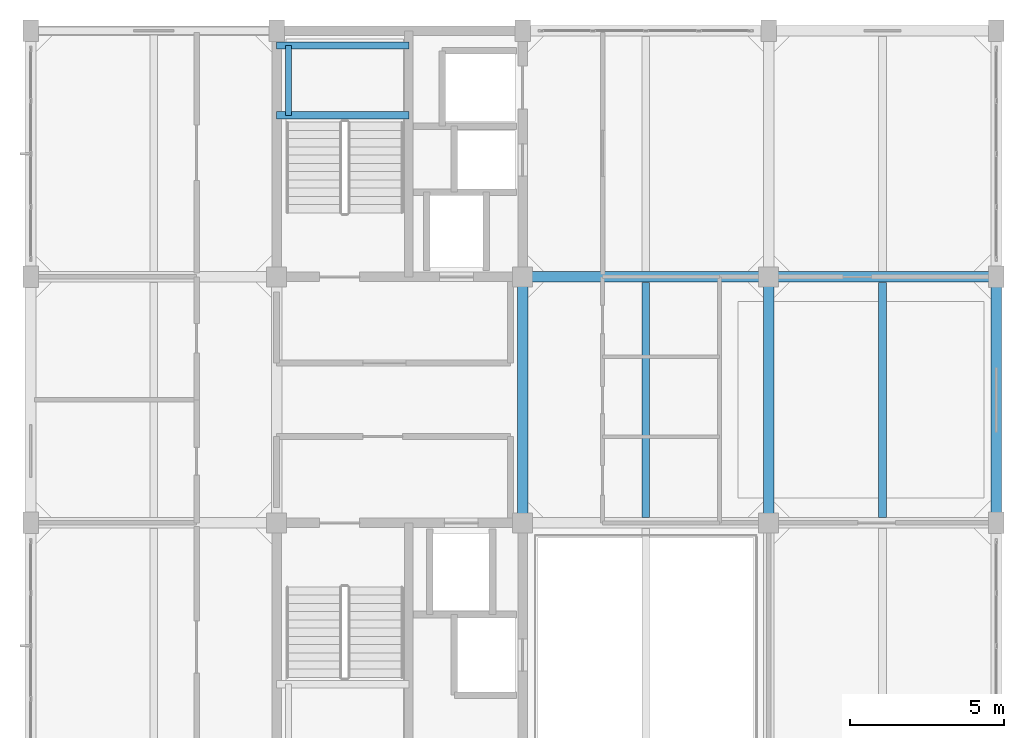
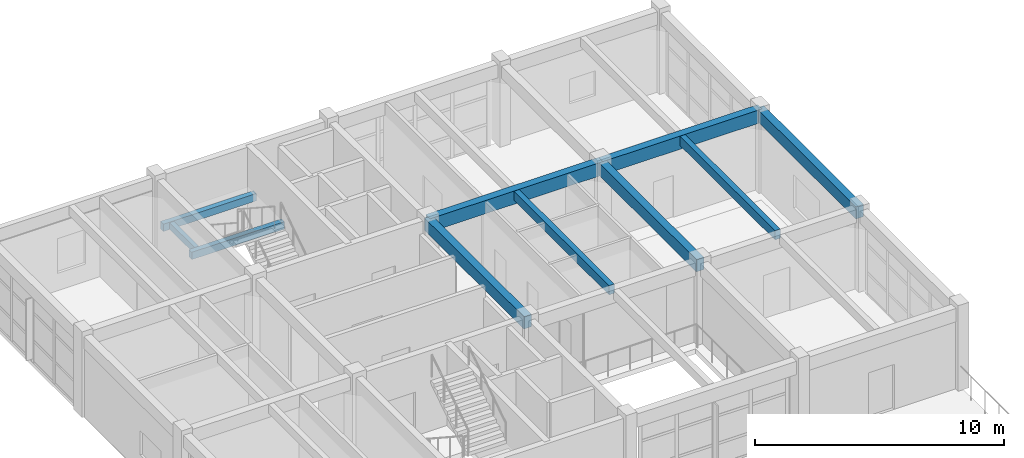
# One storey, part 11 of 20: 10 beams.
"""IFC4 building model written with IfcOpenShell, lengths in metres."""

import ifcopenshell
import ifcopenshell.guid

model = None  # the IFC model being written
_history = None  # IfcOwnerHistory: only IFC2X3 demands one
_inside = {}  # id of a spatial element -> (the spatial element, [elements in it])
_under = {}  # id of a project, library or spatial element -> (it, [spatial elements below it])
_declared = {}  # id of a project -> (the project, [libraries it declares])
_typed = {}  # id of a type object -> (the type object, [elements of that type])
_made_of = {}  # id of a material, layer set ... -> (it, [elements and type objects made of it])


def new_model(schema):
    """Start an empty IFC model of exactly this schema.

    Asked for "IFC4X3", IfcOpenShell would pick the latest addendum, in which some entities
    have other attributes; the version numbers below select the first issue.
    IFC2X3 requires an IfcOwnerHistory on every rooted entity: one is made here for all.
    """
    global model, _history
    if schema == "IFC4X3":
        model = ifcopenshell.file(schema_version=(4, 3, 0, 0))
    else:
        model = ifcopenshell.file(schema=schema)
    _inside.clear()
    _under.clear()
    _declared.clear()
    _typed.clear()
    _made_of.clear()
    _history = None
    if model.schema == "IFC2X3":
        org = make("IfcOrganization", Name="unknown")
        user = make(
            "IfcPersonAndOrganization",
            ThePerson=make("IfcPerson", FamilyName="unknown"),
            TheOrganization=org,
        )
        app = make(
            "IfcApplication",
            ApplicationDeveloper=org,
            Version="unknown",
            ApplicationFullName="unknown",
            ApplicationIdentifier="unknown",
        )
        _history = make(
            "IfcOwnerHistory",
            OwningUser=user,
            OwningApplication=app,
            ChangeAction="ADDED",
            CreationDate=0,
        )
    return model


def make(cls, **values):
    """One entity of the class cls with the attributes given. An attribute that is None is left unset."""
    return model.create_entity(
        cls, **{name: value for name, value in values.items() if value is not None}
    )


def rooted(cls, **values):
    """An entity with a GlobalId (a new one), such as an element, a storey or a relation."""
    return make(cls, GlobalId=ifcopenshell.guid.new(), OwnerHistory=_history, **values)


def si_unit(unit_type, name, prefix=None):
    """IfcSIUnit, for example si_unit("LENGTHUNIT", "METRE", prefix="MILLI")."""
    return make("IfcSIUnit", UnitType=unit_type, Prefix=prefix, Name=name)


def assignment(units):
    """IfcUnitAssignment: the units of a project."""
    return None if units is None else make("IfcUnitAssignment", Units=units)


def point(xyz):
    """IfcCartesianPoint."""
    return None if xyz is None else make("IfcCartesianPoint", Coordinates=xyz)


def direction(xyz):
    """IfcDirection."""
    return None if xyz is None else make("IfcDirection", DirectionRatios=xyz)


def frame(location, z_axis=None, x_axis=None):
    """IfcAxis2Placement3D, a coordinate frame: its origin and axes. An axis left out is left unset."""
    return make(
        "IfcAxis2Placement3D",
        Location=point(location),
        Axis=direction(z_axis),
        RefDirection=direction(x_axis),
    )


def frame_2d(location, x_axis=None):
    """IfcAxis2Placement2D, a coordinate frame in the plane: its origin and x axis."""
    return make(
        "IfcAxis2Placement2D", Location=point(location), RefDirection=direction(x_axis)
    )


def origin():
    """The frame at (0, 0, 0) with its axes left unset."""
    return frame((0.0, 0.0, 0.0))


def origin_2d():
    """The frame at (0, 0) in the plane with its x axis left unset."""
    return frame_2d((0.0, 0.0))


def place(relative_to, where):
    """IfcLocalPlacement: puts the frame where relative to a parent placement (None: the world)."""
    return make(
        "IfcLocalPlacement", PlacementRelTo=relative_to, RelativePlacement=where
    )


def context(
    kind, dimensions, precision=None, world=None, true_north=None, identifier=None
):
    """IfcGeometricRepresentationContext, for example the 3D "Model" context."""
    return make(
        "IfcGeometricRepresentationContext",
        ContextIdentifier=identifier,
        ContextType=kind,
        CoordinateSpaceDimension=dimensions,
        Precision=precision,
        WorldCoordinateSystem=world,
        TrueNorth=true_north,
    )


def subcontext(parent, identifier, kind, view, scale=None):
    """IfcGeometricRepresentationSubContext, for example "Body" below "Model"."""
    return make(
        "IfcGeometricRepresentationSubContext",
        ContextIdentifier=identifier,
        ContextType=kind,
        ParentContext=parent,
        TargetScale=scale,
        TargetView=view,
    )


def project(units=None, contexts=None):
    """IfcProject with its units and contexts."""
    return rooted(
        "IfcProject",
        Name="project",
        RepresentationContexts=contexts,
        UnitsInContext=assignment(units),
    )


def spatial(cls, under=None, at=None, **own):
    """A site, building, storey or space (cls), placed at a placement, below another one or the project."""
    s = rooted(cls, ObjectPlacement=at, **own)
    if under is not None:
        _under.setdefault(under.id(), (under, []))[1].append(s)
    return s


def profile(cls, at=None, kind="AREA", **sizes):
    """A parametric profile (cls). Its sizes go by their IFC names, for example OverallWidth=200.0."""
    return make(cls, ProfileType=kind, Position=at, **sizes)


def rectangle(**sizes):
    """IfcRectangleProfileDef."""
    return profile("IfcRectangleProfileDef", **sizes)


def extrude(swept, where, along, depth):
    """IfcExtrudedAreaSolid: the profile swept, set in the frame where, extruded along a direction by depth."""
    return make(
        "IfcExtrudedAreaSolid",
        SweptArea=swept,
        Position=where,
        ExtrudedDirection=direction(along),
        Depth=depth,
    )


def shape(context_of_items, identifier, shape_type, items):
    """IfcShapeRepresentation: the items that make up one representation, for example the "Body"."""
    return make(
        "IfcShapeRepresentation",
        ContextOfItems=context_of_items,
        RepresentationIdentifier=identifier,
        RepresentationType=shape_type,
        Items=items,
    )


def material(Name=None, Category=None):
    """IfcMaterial."""
    return make("IfcMaterial", Name=Name, Category=Category)


def material_profile(
    of_material, cross_section, Name=None, Category=None, Priority=None
):
    """IfcMaterialProfile: a cross section and its material."""
    return make(
        "IfcMaterialProfile",
        Name=Name,
        Material=of_material,
        Profile=cross_section,
        Priority=Priority,
        Category=Category,
    )


def profile_set(profiles, Name=None, composite=None):
    """IfcMaterialProfileSet."""
    return make(
        "IfcMaterialProfileSet",
        Name=Name,
        MaterialProfiles=profiles,
        CompositeProfile=composite,
    )


def made_of(thing, what):
    """Note that an element or type object is made of a material, layer set ...; save() writes the relation."""
    if what is not None:
        _made_of.setdefault(what.id(), (what, []))[1].append(thing)
    return thing


def type_object(cls, material=None, **own):
    """A type object (cls), such as IfcWallType, which elements share."""
    return made_of(rooted(cls, **own), material)


def element(
    cls,
    number,
    at=None,
    inside=None,
    cuts=None,
    type_object=None,
    material=None,
    context=None,
    identifier="Body",
    shape_type=None,
    held_by="IfcProductDefinitionShape",
    body=None,
    shapes=None,
    **own,
):
    """One element of the class cls, such as IfcWall. Its Tag is "e" and its number.

    at: its placement. inside: the storey or other place that contains it. cuts: it is an
    opening in that element (IfcRelVoidsElement). A single representation is given by context,
    identifier, shape_type and body (its items); several are given by shapes. held_by: the class
    of the entity that holds the representations. save() writes the other relations.
    """
    e = rooted(cls, Tag="e%d" % number, ObjectPlacement=at, **own)
    if body is not None:
        shapes = [shape(context, identifier, shape_type, body)]
    if shapes is not None:
        e.Representation = make(held_by, Representations=shapes)
    if inside is not None:
        _inside.setdefault(inside.id(), (inside, []))[1].append(e)
    if cuts is not None:
        rooted(
            "IfcRelVoidsElement", RelatingBuildingElement=cuts, RelatedOpeningElement=e
        )
    if type_object is not None:
        _typed.setdefault(type_object.id(), (type_object, []))[1].append(e)
    return made_of(e, material)


def aggregate(whole, parts):
    """IfcRelAggregates: a whole, such as a stair, and the parts it consists of."""
    return rooted("IfcRelAggregates", RelatingObject=whole, RelatedObjects=parts)


def save(model, path):
    """Write the relations noted so far, then the file.

    IfcRelAggregates (storeys below a building ...), IfcRelContainedInSpatialStructure (elements
    in a storey), IfcRelDefinesByType, IfcRelAssociatesMaterial and IfcRelDeclares: one each for
    every whole, place, type object, material and project.
    """
    for whole, parts in _under.values():
        aggregate(whole, parts)
    for where, things in _inside.values():
        rooted(
            "IfcRelContainedInSpatialStructure",
            RelatedElements=things,
            RelatingStructure=where,
        )
    for kind, things in _typed.values():
        rooted("IfcRelDefinesByType", RelatedObjects=things, RelatingType=kind)
    for what, things in _made_of.values():
        rooted("IfcRelAssociatesMaterial", RelatedObjects=things, RelatingMaterial=what)
    for by, libraries in _declared.values():
        rooted("IfcRelDeclares", RelatingContext=by, RelatedDefinitions=libraries)
    model.write(path)


model = new_model("IFC4")

# Units and contexts
model_context = context("Model", 3, precision=1e-05, world=origin(), true_north=direction((0.0, 1.0)))
body_context = subcontext(model_context, "Body", "Model", "MODEL_VIEW")
ifc_project = project(units=[si_unit("LENGTHUNIT", "METRE"), si_unit("AREAUNIT", "SQUARE_METRE"), si_unit("VOLUMEUNIT", "CUBIC_METRE"), si_unit("PLANEANGLEUNIT", "RADIAN"), si_unit("MASSUNIT", "GRAM", prefix="KILO")], contexts=[model_context])

# Site, building, storey
site_placement = place(None, origin())
site = spatial("IfcSite", under=ifc_project, at=site_placement, CompositionType="ELEMENT")
building_placement = place(site_placement, origin())
building = spatial("IfcBuilding", under=site, at=building_placement, Name="Canggui Botanical Conservatory", CompositionType="ELEMENT")
storey_placement = place(building_placement, frame((0.0, 0.0, 57.0)))
storey = spatial("IfcBuildingStorey", under=building, at=storey_placement, Name="L14", CompositionType="ELEMENT", Elevation=57.0)

# Beams
ifc_material = material(Name="Concrete C35", Category="concrete")
ifc_material_profile_1 = material_profile(ifc_material, rectangle(XDim=0.25, YDim=0.449951171875, at=origin_2d()), Name="RB 250x450")
ifc_profile_set_1 = profile_set([ifc_material_profile_1], Name="Concrete C35")
beam_type_1 = type_object("IfcBeamType", Name="BM-JST05", PredefinedType="JOIST", material=ifc_profile_set_1)
for number, where, z_axis, x_axis, name in (
    (1, (166.0, 50.179931640625, 3.735107421875), (0.0, 1.0, 0.0), (-1.0, 0.0, 0.0), "Secondary Floor Joist L14-3-2"),
    (2, (173.699951171875, 50.179931640625, 3.735107421875), (0.0, 1.0, 0.0), (-1.0, 0.0, 0.0), "Secondary Floor Joist L14-4-2"),
):
    element("IfcBeam", number, at=place(storey_placement, frame(where, z_axis=z_axis, x_axis=x_axis)), inside=storey, type_object=beam_type_1, Name=name, PredefinedType="JOIST", context=body_context, shape_type="SweptSolid", body=[
        extrude(rectangle(XDim=0.25, YDim=0.449951171875, at=origin_2d()), origin(), (0.0, 0.0, 1.0), 7.64013671875),
    ])
ifc_material_profile_2 = material_profile(ifc_material, rectangle(XDim=0.35009765625, YDim=0.64990234375, at=origin_2d()), Name="RB 350x650")
ifc_profile_set_2 = profile_set([ifc_material_profile_2], Name="Concrete C35")
beam_type_2 = type_object("IfcBeamType", Name="BM-KL18", PredefinedType="BEAM", material=ifc_profile_set_2)
beam_1_placement = place(storey_placement, frame((162.0, 58.0, 3.635009765625), z_axis=(1.0, 0.0, 0.0), x_axis=(0.0, 1.0, 0.0)))
element("IfcBeam", 3, at=beam_1_placement, inside=storey, type_object=beam_type_2, Name="Frame Girder L14 Y58-3", PredefinedType="BEAM", context=body_context, shape_type="SweptSolid", body=[
    extrude(rectangle(XDim=0.35009765625, YDim=0.64990234375, at=origin_2d()), origin(), (0.0, 0.0, 1.0), 8.0),
])
beam_2_placement = place(storey_placement, frame((170.0, 58.0, 3.635009765625), z_axis=(1.0, 0.0, 0.0), x_axis=(0.0, 1.0, 0.0)))
element("IfcBeam", 4, at=beam_2_placement, inside=storey, type_object=beam_type_2, Name="Frame Girder L14 Y58-4", PredefinedType="BEAM", context=body_context, shape_type="SweptSolid", body=[
    extrude(rectangle(XDim=0.35009765625, YDim=0.64990234375, at=origin_2d()), origin(), (0.0, 0.0, 1.0), 7.39990234375),
])
ifc_material_profile_3 = material_profile(ifc_material, rectangle(XDim=0.35009765625, YDim=0.60009765625, at=origin_2d()), Name="RB 350x600")
ifc_profile_set_3 = profile_set([ifc_material_profile_3], Name="Concrete C35")
beam_type_3 = type_object("IfcBeamType", Name="BM-KL19", PredefinedType="BEAM", material=ifc_profile_set_3)
for number, where, z_axis, x_axis, name in (
    (5, (162.0, 50.0, 3.659912109375), (0.0, 1.0, 0.0), (-1.0, 0.0, 0.0), "Frame Girder L14 X162-2"),
    (6, (170.0, 50.0, 3.659912109375), (0.0, 1.0, 0.0), (-1.0, 0.0, 0.0), "Frame Girder L14 X170-2"),
    (7, (177.39990234375, 50.0, 3.659912109375), (0.0, 1.0, 0.0), (-1.0, 0.0, 0.0), "Frame Girder L14 X178-2"),
):
    element("IfcBeam", number, at=place(storey_placement, frame(where, z_axis=z_axis, x_axis=x_axis)), inside=storey, type_object=beam_type_3, Name=name, PredefinedType="BEAM", context=body_context, shape_type="SweptSolid", body=[
        extrude(rectangle(XDim=0.35009765625, YDim=0.60009765625, at=origin_2d()), origin(), (0.0, 0.0, 1.0), 8.0),
    ])
ifc_material_profile_4 = material_profile(ifc_material, rectangle(XDim=0.239990234375, YDim=0.360107421875, at=origin_2d()), Name="RB 240x360")
ifc_profile_set_4 = profile_set([ifc_material_profile_4], Name="Concrete C35")
beam_type_4 = type_object("IfcBeamType", Name="BM-LIN01", PredefinedType="LINTEL", material=ifc_profile_set_4)
for number, where, z_axis, x_axis, name in (
    (8, (154.0, 63.24755859375, 1.719970703125), (1.0, 0.0, 0.0), (0.0, 1.0, 0.0), "ST-T2 Half-Landing Ledger Beam L14-1.1"),
    (9, (154.0, 65.52001953125, 1.719970703125), (1.0, 0.0, 0.0), (0.0, 1.0, 0.0), "ST-T2 Half-Landing Ledger Beam L14-1.2"),
):
    element("IfcBeam", number, at=place(storey_placement, frame(where, z_axis=z_axis, x_axis=x_axis)), inside=storey, type_object=beam_type_4, Name=name, PredefinedType="LINTEL", context=body_context, shape_type="SweptSolid", body=[
        extrude(rectangle(XDim=0.239990234375, YDim=0.360107421875, at=origin_2d()), origin(), (0.0, 0.0, 1.0), 4.300048828125),
    ])
ifc_material_profile_5 = material_profile(ifc_material, rectangle(XDim=0.199951171875, YDim=0.320068359375, at=origin_2d()), Name="RB 200x320")
ifc_profile_set_5 = profile_set([ifc_material_profile_5], Name="Concrete C35")
beam_type_5 = type_object("IfcBeamType", Name="BM-LIN02", PredefinedType="LINTEL", material=ifc_profile_set_5)
beam_3_placement = place(storey_placement, frame((154.3798828125, 63.24755859375, 1.719970703125), z_axis=(0.0, 1.0, 0.0), x_axis=(-1.0, 0.0, 0.0)))
element("IfcBeam", 10, at=beam_3_placement, inside=storey, type_object=beam_type_5, Name="ST-T2 Half-Landing Edge Ledger L14-1.3", PredefinedType="LINTEL", context=body_context, shape_type="SweptSolid", body=[
    extrude(rectangle(XDim=0.199951171875, YDim=0.320068359375, at=origin_2d()), origin(), (0.0, 0.0, 1.0), 2.2724609375),
])

save(model, "model.ifc")
